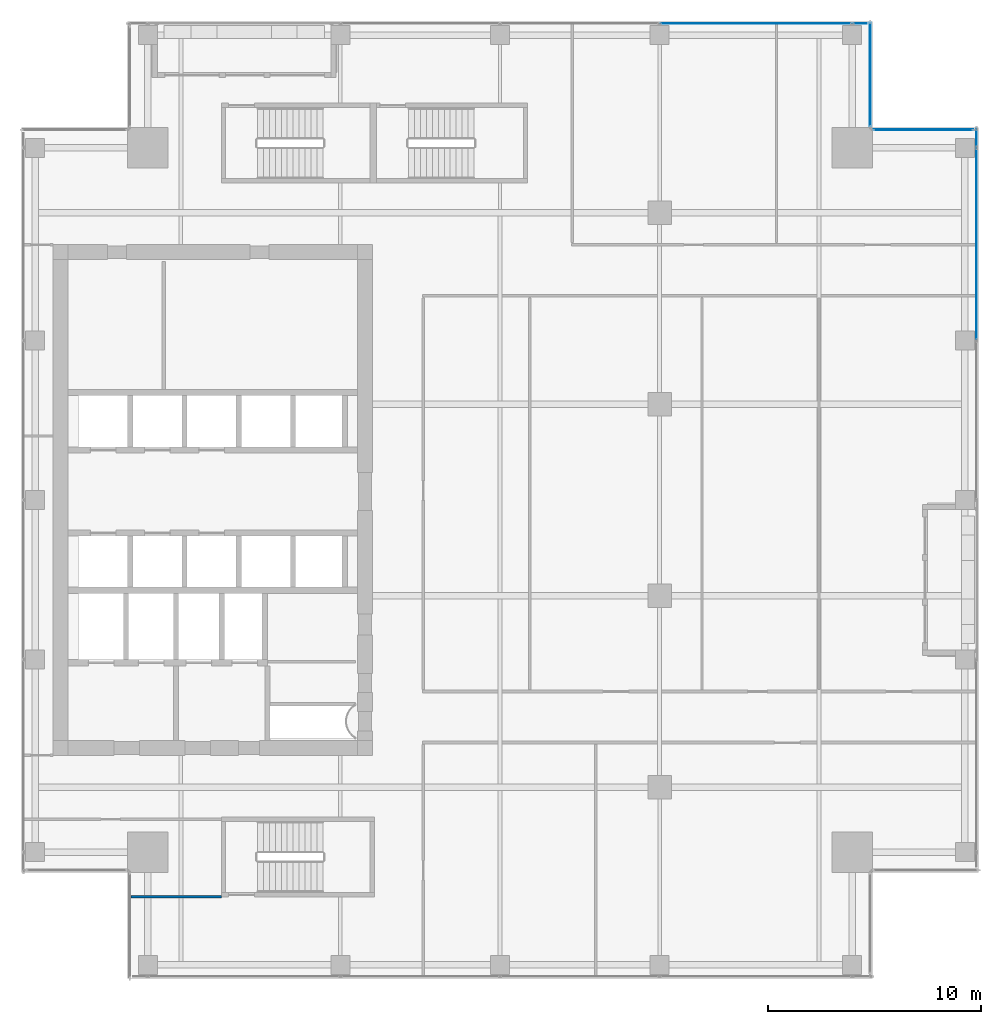
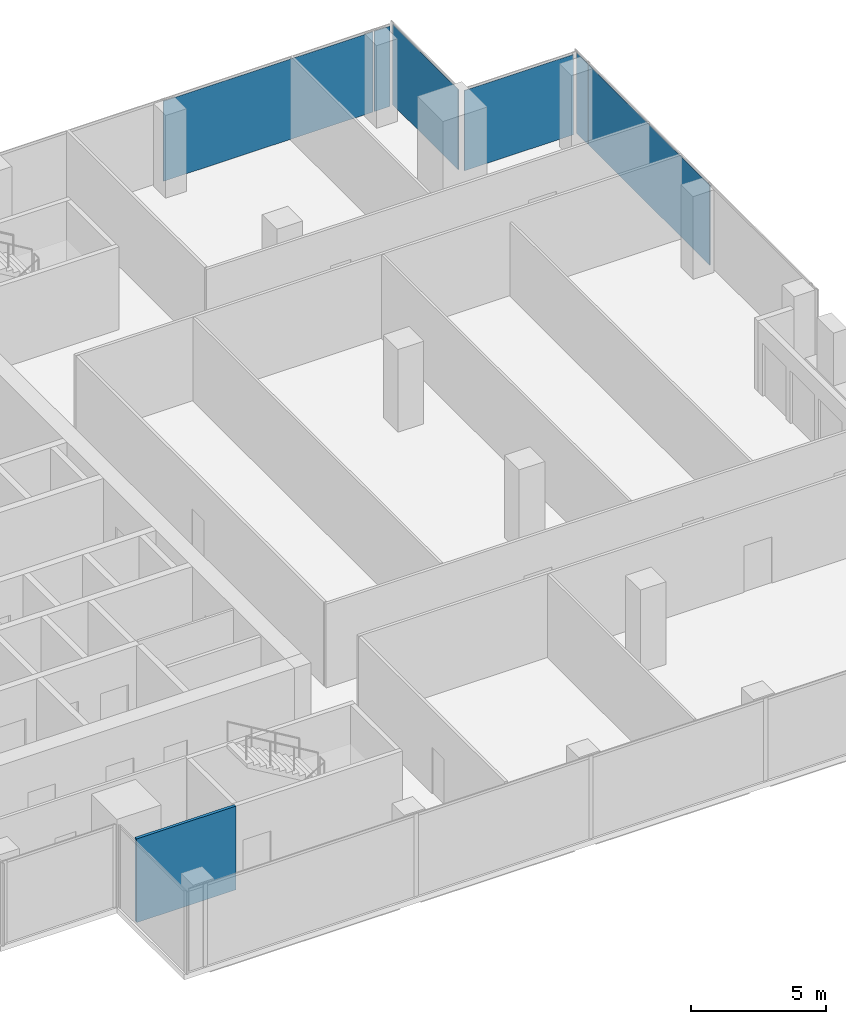
# One storey, part 29 of 35: 6 plates, 1 wall, 4 elements without a shape of their own.
"""IFC4 building model written with IfcOpenShell, lengths in metres."""

from ifc_helpers import new_model, si_unit, direction, frame, frame_2d, origin, origin_2d, place, context, subcontext, project, spatial, rectangle, extrude, source, transform, mapped, material, layer, layer_set, type_object, element, aggregate, save


model = new_model("IFC4")

# Units and contexts
model_context = context("Model", 3, precision=1e-05, world=origin(), true_north=direction((0.0, 1.0)))
body_context = subcontext(model_context, "Body", "Model", "MODEL_VIEW")
ifc_project = project(units=[si_unit("LENGTHUNIT", "METRE"), si_unit("AREAUNIT", "SQUARE_METRE"), si_unit("VOLUMEUNIT", "CUBIC_METRE"), si_unit("PLANEANGLEUNIT", "RADIAN"), si_unit("MASSUNIT", "GRAM", prefix="KILO")], contexts=[model_context])

# Site, building, storey
site_placement = place(None, origin())
site = spatial("IfcSite", under=ifc_project, at=site_placement, CompositionType="ELEMENT")
building_placement = place(site_placement, origin())
building = spatial("IfcBuilding", under=site, at=building_placement, Name="Khomas Fold Tower", CompositionType="ELEMENT")
storey_placement = place(building_placement, frame((0.0, 0.0, 262.199951171875)))
storey = spatial("IfcBuildingStorey", under=building, at=storey_placement, Name="L59", CompositionType="ELEMENT", Elevation=262.199951171875)

# Curtain wall, plate
ifc_material_1 = material(Name="Aluminium framed double glazing", Category="aluminium")
curtain_wall_type = type_object("IfcCurtainWallType", Name="SK-Unitised clear-glass wall, office floors CW2", PredefinedType="NOTDEFINED", material=ifc_material_1)
curtain_wall_1_placement = place(storey_placement, origin())
curtain_wall_1 = element("IfcCurtainWall", 1, at=curtain_wall_1_placement, inside=storey, type_object=curtain_wall_type, Name="CW2 run L59 06-0", PredefinedType="NOTDEFINED")
ifc_material_2 = material(Name="Clear double glazed unit")
ifc_layer_1 = layer(ifc_material_2, 0.030029296875)
ifc_layer_set_1 = layer_set([ifc_layer_1], Name="Clear double glazed unit")
plate_type = type_object("IfcPlateType", Name="SK-Unitised clear-glass wall, office floors glass panel CW2-P", PredefinedType="CURTAIN_PANEL", material=ifc_layer_set_1)
shared_shape_1 = source(origin(), body_context, "Body", "SweptSolid", [
    extrude(rectangle(XDim=0.659912109375, YDim=0.030029296875, at=origin_2d()), origin(), (0.0, 0.0, 1.0), 3.639892578125),
])
plate_1_placement = place(storey_placement, frame((43.909912109375, 49.39990234375, 0.0), z_axis=(0.0, 0.0, 1.0), x_axis=(-1.0, 0.0, 0.0)))
plate_1 = element("IfcPlate", 2, at=plate_1_placement, type_object=plate_type, Name="CW2 glass panel 1", PredefinedType="CURTAIN_PANEL", context=body_context, shape_type="MappedRepresentation", body=[
    mapped(shared_shape_1, transform((0.0, 0.0, 0.0))),
])

# Curtain wall, plates
curtain_wall_2_placement = place(storey_placement, origin())
curtain_wall_2 = element("IfcCurtainWall", 3, at=curtain_wall_2_placement, inside=storey, type_object=curtain_wall_type, Name="CW2 run L59 03-1", PredefinedType="NOTDEFINED")
shared_shape_2 = source(origin(), body_context, "Body", "SweptSolid", [
    extrude(rectangle(XDim=0.860107421875, YDim=0.030029296875, at=origin_2d()), origin(), (0.0, 0.0, 1.0), 3.639892578125),
])
plate_2_placement = place(storey_placement, frame((49.39990234375, 44.010009765625, 0.0), z_axis=(0.0, 0.0, 1.0), x_axis=(0.0, 1.0, 0.0)))
plate_2 = element("IfcPlate", 4, at=plate_2_placement, type_object=plate_type, Name="CW2 glass panel 4", PredefinedType="CURTAIN_PANEL", context=body_context, shape_type="MappedRepresentation", body=[
    mapped(shared_shape_2, transform((0.0, 0.0, 0.0))),
])
shared_shape_3 = source(origin(), body_context, "Body", "SweptSolid", [
    extrude(rectangle(XDim=8.989990234375, YDim=0.030029296875, at=origin_2d()), origin(), (0.0, 0.0, 1.0), 3.639892578125),
])
plate_3_placement = place(storey_placement, frame((49.39990234375, 39.02490234375, 0.0), z_axis=(0.0, 0.0, 1.0), x_axis=(0.0, 1.0, 0.0)))
plate_3 = element("IfcPlate", 5, at=plate_3_placement, type_object=plate_type, Name="CW2 glass panel 3", PredefinedType="CURTAIN_PANEL", context=body_context, shape_type="MappedRepresentation", body=[
    mapped(shared_shape_3, transform((0.0, 0.0, 0.0))),
])
aggregate(curtain_wall_2, [plate_3, plate_2])

# Plate
plate_4_placement = place(storey_placement, frame((39.02490234375, 49.39990234375, 0.0), z_axis=(0.0, 0.0, 1.0), x_axis=(-1.0, 0.0, 0.0)))
plate_4 = element("IfcPlate", 6, at=plate_4_placement, type_object=plate_type, Name="CW2 glass panel 2", PredefinedType="CURTAIN_PANEL", context=body_context, shape_type="MappedRepresentation", body=[
    mapped(shared_shape_3, transform((0.0, 0.0, 0.0))),
])

aggregate(curtain_wall_1, [plate_1, plate_4])

# Curtain wall, plate
curtain_wall_3_placement = place(storey_placement, origin())
curtain_wall_3 = element("IfcCurtainWall", 7, at=curtain_wall_3_placement, inside=storey, type_object=curtain_wall_type, Name="CW2 corner return L59 04", PredefinedType="NOTDEFINED")
shared_shape_4 = source(origin(), body_context, "Body", "SweptSolid", [
    extrude(rectangle(XDim=4.679931640625, YDim=0.030029296875, at=origin_2d()), origin(), (0.0, 0.0, 1.0), 3.639892578125),
])
plate_5_placement = place(storey_placement, frame((46.89990234375, 44.39990234375, 0.0), z_axis=(0.0, 0.0, 1.0), x_axis=(-1.0, 0.0, 0.0)))
plate_5 = element("IfcPlate", 8, at=plate_5_placement, type_object=plate_type, Name="CW2 glass panel 1", PredefinedType="CURTAIN_PANEL", context=body_context, shape_type="MappedRepresentation", body=[
    mapped(shared_shape_4, transform((0.0, 0.0, 0.0))),
])
aggregate(curtain_wall_3, [plate_5])

curtain_wall_4_placement = place(storey_placement, origin())
curtain_wall_4 = element("IfcCurtainWall", 9, at=curtain_wall_4_placement, inside=storey, type_object=curtain_wall_type, Name="CW2 corner return L59 05", PredefinedType="NOTDEFINED")
shared_shape_5 = source(origin(), body_context, "Body", "SweptSolid", [
    extrude(rectangle(XDim=4.8798828125, YDim=0.030029296875, at=origin_2d()), origin(), (0.0, 0.0, 1.0), 3.639892578125),
])
plate_6_placement = place(storey_placement, frame((44.39990234375, 47.0, 0.0), z_axis=(0.0, 0.0, 1.0), x_axis=(0.0, 1.0, 0.0)))
plate_6 = element("IfcPlate", 10, at=plate_6_placement, type_object=plate_type, Name="CW2 glass panel 1", PredefinedType="CURTAIN_PANEL", context=body_context, shape_type="MappedRepresentation", body=[
    mapped(shared_shape_5, transform((0.0, 0.0, 0.0))),
])
aggregate(curtain_wall_4, [plate_6])

# Wall
ifc_material_3 = material(Name="Plasterboard partition")
ifc_layer_2 = layer(ifc_material_3, 0.125)
ifc_layer_set_2 = layer_set([ifc_layer_2], Name="Plasterboard partition")
wall_type = type_object("IfcWallType", Name="Partition PW2 125", PredefinedType="PARTITIONING", material=ifc_layer_set_2)
shared_shape_6 = source(origin(), body_context, "Body", "SweptSolid", [
    extrude(rectangle(XDim=4.25, YDim=0.125, at=frame_2d((2.125, 0.0))), origin(), (0.0, 0.0, 1.0), 3.800048828125),
])
wall_placement = place(storey_placement, frame((9.64990234375, 8.35009765625, 0.0), z_axis=(0.0, 0.0, 1.0), x_axis=(1.0, 0.0, 0.0)))
element("IfcWall", 11, at=wall_placement, inside=storey, type_object=wall_type, Name="Partition", PredefinedType="PARTITIONING", context=body_context, shape_type="MappedRepresentation", body=[
    mapped(shared_shape_6, transform((0.0, 0.0, 0.0))),
])

save(model, "model.ifc")
